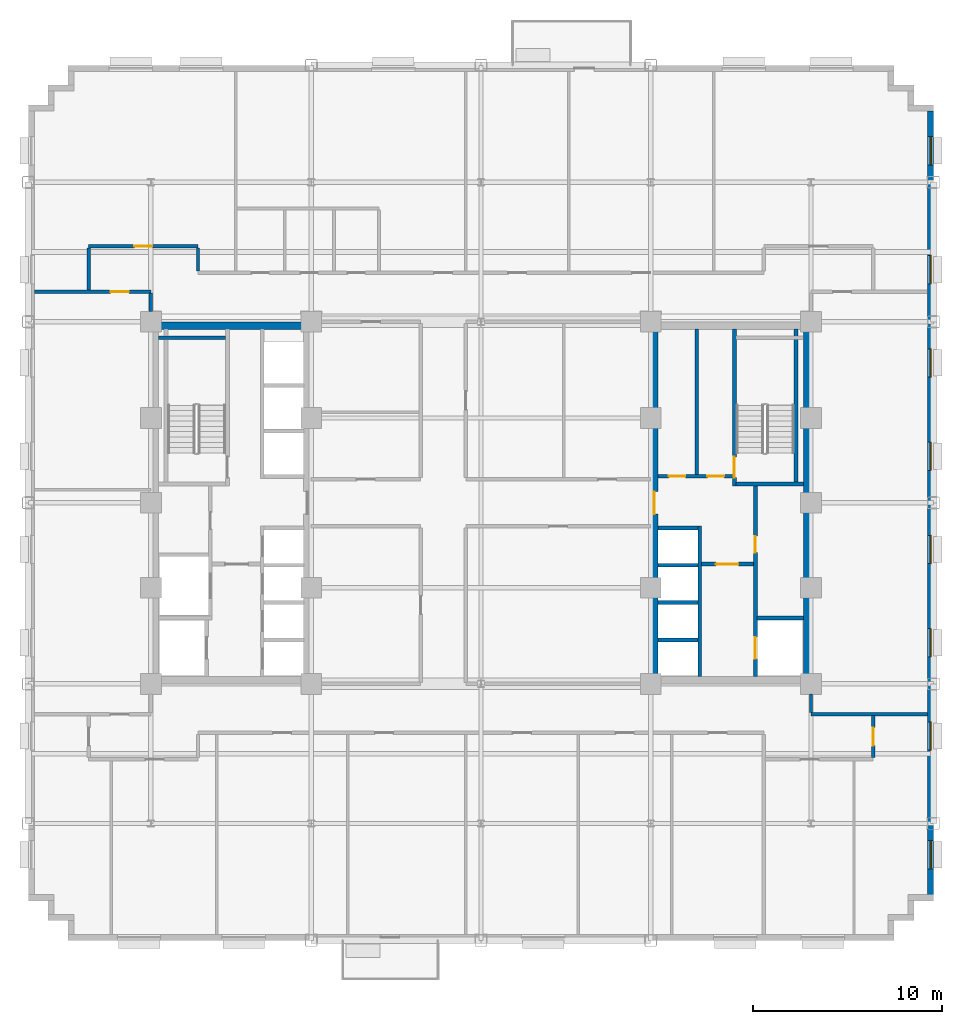
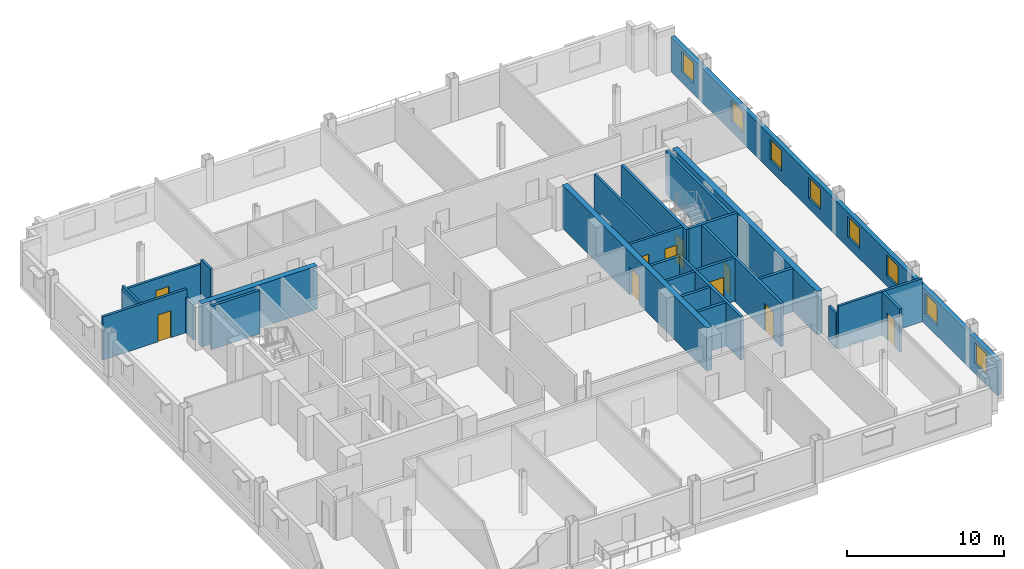
# One storey, part 8 of 14: 26 walls, 10 doors, 8 windows, 18 openings.
"""IFC4 building model written with IfcOpenShell, lengths in metres."""

from ifc_helpers import new_model, si_unit, direction, frame, frame_2d, origin, place, context, subcontext, project, spatial, rectangle, extrude, source, transform, mapped, material, layer, layer_set, type_object, type_shapes, element, fill, save


model = new_model("IFC4")

# Units and contexts
model_context = context("Model", 3, precision=1e-05, world=origin(), true_north=direction((0.0, 1.0)))
body_context = subcontext(model_context, "Body", "Model", "MODEL_VIEW")
ifc_project = project(units=[si_unit("LENGTHUNIT", "METRE"), si_unit("AREAUNIT", "SQUARE_METRE"), si_unit("VOLUMEUNIT", "CUBIC_METRE"), si_unit("PLANEANGLEUNIT", "RADIAN"), si_unit("MASSUNIT", "GRAM", prefix="KILO")], contexts=[model_context])

# Site, building, storey
site_placement = place(None, origin())
site = spatial("IfcSite", under=ifc_project, at=site_placement, CompositionType="ELEMENT")
building_placement = place(site_placement, origin())
building = spatial("IfcBuilding", under=site, at=building_placement, Name="Nuvemarco Arch Tower", CompositionType="ELEMENT")
storey_placement = place(building_placement, frame((0.0, 0.0, 98.300048828125)))
storey = spatial("IfcBuildingStorey", under=building, at=storey_placement, Name="L25", CompositionType="ELEMENT", Elevation=98.300048828125)

# Wall, openings, windows
ifc_material_1 = material(Name="Precast concrete C45/55", Category="concrete")
ifc_layer_1 = layer(ifc_material_1, 0.320068359375, Name="EW-MID-320")
ifc_layer_set_1 = layer_set([ifc_layer_1], Name="Precast concrete C45/55")
wall_type_1 = type_object("IfcWallType", Name="EW-MID-320", PredefinedType="STANDARD", material=ifc_layer_set_1)
wall_1_placement = place(storey_placement, frame((23.840087890625, -20.783935546875, 0.0), z_axis=(0.0, 0.0, 1.0), x_axis=(0.0, 1.0, 0.0)))
wall_1 = element("IfcWall", 1, at=wall_1_placement, inside=storey, type_object=wall_type_1, Name="L25 exterior precast facade wall 6", PredefinedType="STANDARD", context=body_context, shape_type="SweptSolid", body=[
    extrude(rectangle(XDim=41.56787109375, YDim=0.320068359375, at=frame_2d((20.783935546875, 0.0))), origin(), (0.0, 0.0, 1.0), 2.704833984375),
])
opening_1_placement = place(wall_1_placement, frame((1.373046875, 0.0, 0.800048828125)))
opening_1 = element("IfcOpeningElement", 2, at=opening_1_placement, cuts=wall_1, Name="Opening WN-11", PredefinedType="OPENING", context=body_context, shape_type="SweptSolid", body=[
    extrude(rectangle(XDim=1.5, YDim=1.60009765625, at=frame_2d((0.75, 0.800048828125))), frame((0.0, 0.169921875, 0.0), z_axis=(0.0, -1.0, 0.0), x_axis=(1.0, 0.0, 0.0)), (0.0, 0.0, 1.0), 0.340087890625),
])
opening_2_placement = place(wall_1_placement, frame((7.6689453125, 0.0, 0.800048828125)))
opening_2 = element("IfcOpeningElement", 3, at=opening_2_placement, cuts=wall_1, Name="Opening WN-11", PredefinedType="OPENING", context=body_context, shape_type="SweptSolid", body=[
    extrude(rectangle(XDim=1.5, YDim=1.60009765625, at=frame_2d((0.75, 0.800048828125))), frame((0.0, 0.169921875, 0.0), z_axis=(0.0, -1.0, 0.0), x_axis=(1.0, 0.0, 0.0)), (0.0, 0.0, 1.0), 0.340087890625),
])
opening_3_placement = place(wall_1_placement, frame((12.614990234375, 0.0, 0.800048828125)))
opening_3 = element("IfcOpeningElement", 4, at=opening_3_placement, cuts=wall_1, Name="Opening WN-11", PredefinedType="OPENING", context=body_context, shape_type="SweptSolid", body=[
    extrude(rectangle(XDim=1.5, YDim=1.60009765625, at=frame_2d((0.75, 0.800048828125))), frame((0.0, 0.169921875, 0.0), z_axis=(0.0, -1.0, 0.0), x_axis=(1.0, 0.0, 0.0)), (0.0, 0.0, 1.0), 0.340087890625),
])
opening_4_placement = place(wall_1_placement, frame((17.56103515625, 0.0, 0.800048828125)))
opening_4 = element("IfcOpeningElement", 5, at=opening_4_placement, cuts=wall_1, Name="Opening WN-11", PredefinedType="OPENING", context=body_context, shape_type="SweptSolid", body=[
    extrude(rectangle(XDim=1.5, YDim=1.60009765625, at=frame_2d((0.75, 0.800048828125))), frame((0.0, 0.169921875, 0.0), z_axis=(0.0, -1.0, 0.0), x_axis=(1.0, 0.0, 0.0)), (0.0, 0.0, 1.0), 0.340087890625),
])
opening_5_placement = place(wall_1_placement, frame((22.507080078125, 0.0, 0.800048828125)))
opening_5 = element("IfcOpeningElement", 6, at=opening_5_placement, cuts=wall_1, Name="Opening WN-11", PredefinedType="OPENING", context=body_context, shape_type="SweptSolid", body=[
    extrude(rectangle(XDim=1.5, YDim=1.60009765625, at=frame_2d((0.75, 0.800048828125))), frame((0.0, 0.169921875, 0.0), z_axis=(0.0, -1.0, 0.0), x_axis=(1.0, 0.0, 0.0)), (0.0, 0.0, 1.0), 0.340087890625),
])
opening_6_placement = place(wall_1_placement, frame((27.452880859375, 0.0, 0.800048828125)))
opening_6 = element("IfcOpeningElement", 7, at=opening_6_placement, cuts=wall_1, Name="Opening WN-11", PredefinedType="OPENING", context=body_context, shape_type="SweptSolid", body=[
    extrude(rectangle(XDim=1.5, YDim=1.60009765625, at=frame_2d((0.75, 0.800048828125))), frame((0.0, 0.169921875, 0.0), z_axis=(0.0, -1.0, 0.0), x_axis=(1.0, 0.0, 0.0)), (0.0, 0.0, 1.0), 0.340087890625),
])
opening_7_placement = place(wall_1_placement, frame((32.39892578125, 0.0, 0.800048828125)))
opening_7 = element("IfcOpeningElement", 8, at=opening_7_placement, cuts=wall_1, Name="Opening WN-11", PredefinedType="OPENING", context=body_context, shape_type="SweptSolid", body=[
    extrude(rectangle(XDim=1.5, YDim=1.60009765625, at=frame_2d((0.75, 0.800048828125))), frame((0.0, 0.169921875, 0.0), z_axis=(0.0, -1.0, 0.0), x_axis=(1.0, 0.0, 0.0)), (0.0, 0.0, 1.0), 0.340087890625),
])
opening_8_placement = place(wall_1_placement, frame((38.695068359375, 0.0, 0.800048828125)))
opening_8 = element("IfcOpeningElement", 9, at=opening_8_placement, cuts=wall_1, Name="Opening WN-11", PredefinedType="OPENING", context=body_context, shape_type="SweptSolid", body=[
    extrude(rectangle(XDim=1.5, YDim=1.60009765625, at=frame_2d((0.75, 0.800048828125))), frame((0.0, 0.169921875, 0.0), z_axis=(0.0, -1.0, 0.0), x_axis=(1.0, 0.0, 0.0)), (0.0, 0.0, 1.0), 0.340087890625),
])
ifc_material_2 = material(Name="Insulated solar-control glass", Category="glass")
window_type = type_object("IfcWindowType", Name="WN-STEP-1500x1850", PartitioningType="SINGLE_PANEL", PredefinedType="WINDOW", material=ifc_material_2)
shared_shape_1 = source(origin(), body_context, "Body", "SweptSolid", [
    extrude(rectangle(XDim=1.5, YDim=1.60009765625, at=frame_2d((0.75, 0.800048828125))), frame((0.0, 0.030029296875, 0.0), z_axis=(0.0, -1.0, 0.0), x_axis=(1.0, 0.0, 0.0)), (0.0, 0.0, 1.0), 0.06005859375),
])
type_shapes(window_type, [shared_shape_1])
window_1_placement = place(opening_1_placement, origin())
window_1 = element("IfcWindow", 10, at=window_1_placement, inside=storey, type_object=window_type, Name="L25 punched facade window 1", OverallHeight=1.60009765625, OverallWidth=1.5, PartitioningType="SINGLE_PANEL", PredefinedType="WINDOW", context=body_context, shape_type="MappedRepresentation", body=[
    mapped(shared_shape_1, transform((0.0, 0.0, 0.0), scale=1.0)),
])
fill(opening_1, window_1)
window_2_placement = place(opening_2_placement, origin())
window_2 = element("IfcWindow", 11, at=window_2_placement, inside=storey, type_object=window_type, Name="L25 punched facade window 2", OverallHeight=1.60009765625, OverallWidth=1.5, PartitioningType="SINGLE_PANEL", PredefinedType="WINDOW", context=body_context, shape_type="MappedRepresentation", body=[
    mapped(shared_shape_1, transform((0.0, 0.0, 0.0), scale=1.0)),
])
fill(opening_2, window_2)
window_3_placement = place(opening_3_placement, origin())
window_3 = element("IfcWindow", 12, at=window_3_placement, inside=storey, type_object=window_type, Name="L25 punched facade window 3", OverallHeight=1.60009765625, OverallWidth=1.5, PartitioningType="SINGLE_PANEL", PredefinedType="WINDOW", context=body_context, shape_type="MappedRepresentation", body=[
    mapped(shared_shape_1, transform((0.0, 0.0, 0.0), scale=1.0)),
])
fill(opening_3, window_3)
window_4_placement = place(opening_4_placement, origin())
window_4 = element("IfcWindow", 13, at=window_4_placement, inside=storey, type_object=window_type, Name="L25 punched facade window 4", OverallHeight=1.60009765625, OverallWidth=1.5, PartitioningType="SINGLE_PANEL", PredefinedType="WINDOW", context=body_context, shape_type="MappedRepresentation", body=[
    mapped(shared_shape_1, transform((0.0, 0.0, 0.0), scale=1.0)),
])
fill(opening_4, window_4)
window_5_placement = place(opening_5_placement, origin())
window_5 = element("IfcWindow", 14, at=window_5_placement, inside=storey, type_object=window_type, Name="L25 punched facade window 5", OverallHeight=1.60009765625, OverallWidth=1.5, PartitioningType="SINGLE_PANEL", PredefinedType="WINDOW", context=body_context, shape_type="MappedRepresentation", body=[
    mapped(shared_shape_1, transform((0.0, 0.0, 0.0), scale=1.0)),
])
fill(opening_5, window_5)
window_6_placement = place(opening_6_placement, origin())
window_6 = element("IfcWindow", 15, at=window_6_placement, inside=storey, type_object=window_type, Name="L25 punched facade window 6", OverallHeight=1.60009765625, OverallWidth=1.5, PartitioningType="SINGLE_PANEL", PredefinedType="WINDOW", context=body_context, shape_type="MappedRepresentation", body=[
    mapped(shared_shape_1, transform((0.0, 0.0, 0.0), scale=1.0)),
])
fill(opening_6, window_6)
window_7_placement = place(opening_7_placement, origin())
window_7 = element("IfcWindow", 16, at=window_7_placement, inside=storey, type_object=window_type, Name="L25 punched facade window 7", OverallHeight=1.60009765625, OverallWidth=1.5, PartitioningType="SINGLE_PANEL", PredefinedType="WINDOW", context=body_context, shape_type="MappedRepresentation", body=[
    mapped(shared_shape_1, transform((0.0, 0.0, 0.0), scale=1.0)),
])
fill(opening_7, window_7)
window_8_placement = place(opening_8_placement, origin())
window_8 = element("IfcWindow", 17, at=window_8_placement, inside=storey, type_object=window_type, Name="L25 punched facade window 8", OverallHeight=1.60009765625, OverallWidth=1.5, PartitioningType="SINGLE_PANEL", PredefinedType="WINDOW", context=body_context, shape_type="MappedRepresentation", body=[
    mapped(shared_shape_1, transform((0.0, 0.0, 0.0), scale=1.0)),
])
fill(opening_8, window_8)

# Wall
ifc_material_3 = material(Name="Concrete C60/75", Category="concrete")
ifc_layer_2 = layer(ifc_material_3, 0.39990234375, Name="WL-CORE-400")
ifc_layer_set_2 = layer_set([ifc_layer_2], Name="Concrete C60/75")
wall_type_2 = type_object("IfcWallType", Name="WL-CORE-400", PredefinedType="SHEAR", material=ifc_layer_set_2)
wall_2_placement = place(storey_placement, frame((-17.5, 9.39990234375, 0.0), z_axis=(0.0, 0.0, 1.0), x_axis=(1.0, 0.0, 0.0)))
element("IfcWall", 18, at=wall_2_placement, inside=storey, type_object=wall_type_2, Name="L25 W-core shear wall N", PredefinedType="SHEAR", context=body_context, shape_type="SweptSolid", body=[
    extrude(rectangle(XDim=8.5, YDim=0.39990234375, at=frame_2d((4.25, 0.0))), origin(), (0.0, 0.0, 1.0), 3.369873046875),
])

# Wall, opening, door
wall_3_placement = place(storey_placement, frame((9.199951171875, -9.205078125, 0.0), z_axis=(0.0, 0.0, 1.0), x_axis=(0.0, 1.0, 0.0)))
wall_3 = element("IfcWall", 19, at=wall_3_placement, inside=storey, type_object=wall_type_2, Name="L25 E-core shear wall W", PredefinedType="SHEAR", context=body_context, shape_type="SweptSolid", body=[
    extrude(rectangle(XDim=18.41015625, YDim=0.39990234375, at=frame_2d((9.205078125, 0.0))), origin(), (0.0, 0.0, 1.0), 3.369873046875),
])
opening_9_placement = place(wall_3_placement, frame((8.60498046875, 0.0, 0.0)))
opening_9 = element("IfcOpeningElement", 20, at=opening_9_placement, cuts=wall_3, Name="Opening FD-2", PredefinedType="OPENING", context=body_context, shape_type="SweptSolid", body=[
    extrude(rectangle(XDim=1.199951171875, YDim=2.14990234375, at=frame_2d((0.60009765625, 1.074951171875))), frame((0.0, 0.2099609375, 0.0), z_axis=(0.0, -1.0, 0.0), x_axis=(1.0, 0.0, 0.0)), (0.0, 0.0, 1.0), 0.419921875),
])
ifc_material_4 = material(Name="Anodised steel fire door", Category="steel")
door_type_1 = type_object("IfcDoorType", Name="DR-FFLOB-FD", OperationType="NOTDEFINED", PredefinedType="DOOR", material=ifc_material_4)
shared_shape_2 = source(origin(), body_context, "Body", "SweptSolid", [
    extrude(rectangle(XDim=1.199951171875, YDim=2.14990234375, at=frame_2d((0.60009765625, 1.074951171875))), frame((0.0, 0.02490234375, 0.0), z_axis=(0.0, -1.0, 0.0), x_axis=(1.0, 0.0, 0.0)), (0.0, 0.0, 1.0), 0.050048828125),
])
type_shapes(door_type_1, [shared_shape_2])
door_1_placement = place(opening_9_placement, origin())
door_1 = element("IfcDoor", 21, at=door_1_placement, inside=storey, type_object=door_type_1, Name="L25 door FD-L25-ECORE-W", OperationType="SINGLE_SWING_LEFT", OverallHeight=2.14990234375, OverallWidth=1.199951171875, PredefinedType="DOOR", context=body_context, shape_type="MappedRepresentation", body=[
    mapped(shared_shape_2, transform((0.0, 0.0, 0.0), scale=1.0)),
])
fill(opening_9, door_1)

# Wall
wall_4_placement = place(storey_placement, frame((17.300048828125, -9.205078125, 0.0), z_axis=(0.0, 0.0, 1.0), x_axis=(0.0, 1.0, 0.0)))
element("IfcWall", 22, at=wall_4_placement, inside=storey, type_object=wall_type_2, Name="L25 E-core shear wall E", PredefinedType="SHEAR", context=body_context, shape_type="SweptSolid", body=[
    extrude(rectangle(XDim=18.41015625, YDim=0.39990234375, at=frame_2d((9.205078125, 0.0))), origin(), (0.0, 0.0, 1.0), 3.369873046875),
])

# Wall, openings, doors
ifc_material_5 = material(Name="Fire-rated gypsum drywall partition")
ifc_layer_3 = layer(ifc_material_5, 0.179931640625, Name="WL-CORR-180")
ifc_layer_set_3 = layer_set([ifc_layer_3], Name="Fire-rated gypsum drywall partition")
wall_type_3 = type_object("IfcWallType", Name="WL-CORR-180", PredefinedType="PARTITIONING", material=ifc_layer_set_3)
wall_5_placement = place(storey_placement, frame((9.39501953125, 1.39990234375, 0.0), z_axis=(0.0, 0.0, 1.0), x_axis=(1.0, 0.0, 0.0)))
wall_5 = element("IfcWall", 23, at=wall_5_placement, inside=storey, type_object=wall_type_3, Name="L25 interior wall IW-L25-EK-S", PredefinedType="PARTITIONING", context=body_context, shape_type="SweptSolid", body=[
    extrude(rectangle(XDim=3.949951171875, YDim=0.179931640625, at=frame_2d((1.97509765625, 0.0))), origin(), (0.0, 0.0, 1.0), 3.35986328125),
])
opening_10_placement = place(wall_5_placement, frame((0.56494140625, 0.0, 0.0)))
opening_10 = element("IfcOpeningElement", 24, at=opening_10_placement, cuts=wall_5, Name="Opening FD-4", PredefinedType="OPENING", context=body_context, shape_type="SweptSolid", body=[
    extrude(rectangle(XDim=0.8798828125, YDim=2.10009765625, at=frame_2d((0.43994140625, 1.050048828125))), frame((0.0, 0.099853515625, 0.0), z_axis=(0.0, -1.0, 0.0), x_axis=(1.0, 0.0, 0.0)), (0.0, 0.0, 1.0), 0.199951171875),
])
opening_11_placement = place(wall_5_placement, frame((2.614990234375, 0.0, 0.0)))
opening_11 = element("IfcOpeningElement", 25, at=opening_11_placement, cuts=wall_5, Name="Opening FD-4", PredefinedType="OPENING", context=body_context, shape_type="SweptSolid", body=[
    extrude(rectangle(XDim=0.8798828125, YDim=2.10009765625, at=frame_2d((0.43994140625, 1.050048828125))), frame((0.0, 0.099853515625, 0.0), z_axis=(0.0, -1.0, 0.0), x_axis=(1.0, 0.0, 0.0)), (0.0, 0.0, 1.0), 0.199951171875),
])
door_type_2 = type_object("IfcDoorType", Name="DR-RISER-FD", OperationType="NOTDEFINED", PredefinedType="DOOR", material=ifc_material_4)
shared_shape_3 = source(origin(), body_context, "Body", "SweptSolid", [
    extrude(rectangle(XDim=0.8798828125, YDim=2.10009765625, at=frame_2d((0.43994140625, 1.050048828125))), frame((0.0, 0.02490234375, 0.0), z_axis=(0.0, -1.0, 0.0), x_axis=(1.0, 0.0, 0.0)), (0.0, 0.0, 1.0), 0.050048828125),
])
type_shapes(door_type_2, [shared_shape_3])
door_2_placement = place(opening_10_placement, origin())
door_2 = element("IfcDoor", 26, at=door_2_placement, inside=storey, type_object=door_type_2, Name="L25 door FD-L25-EK2A", OperationType="SINGLE_SWING_RIGHT", OverallHeight=2.10009765625, OverallWidth=0.8798828125, PredefinedType="DOOR", context=body_context, shape_type="MappedRepresentation", body=[
    mapped(shared_shape_3, transform((0.0, 0.0, 0.0), scale=1.0)),
])
fill(opening_10, door_2)
door_3_placement = place(opening_11_placement, origin())
door_3 = element("IfcDoor", 27, at=door_3_placement, inside=storey, type_object=door_type_2, Name="L25 door FD-L25-EK2B", OperationType="SINGLE_SWING_LEFT", OverallHeight=2.10009765625, OverallWidth=0.8798828125, PredefinedType="DOOR", context=body_context, shape_type="MappedRepresentation", body=[
    mapped(shared_shape_3, transform((0.0, 0.0, 0.0), scale=1.0)),
])
fill(opening_11, door_3)

# Walls
wall_6_placement = place(storey_placement, frame((11.449951171875, 1.489990234375, 0.0), z_axis=(0.0, 0.0, 1.0), x_axis=(0.0, 1.0, 0.0)))
element("IfcWall", 28, at=wall_6_placement, inside=storey, type_object=wall_type_3, Name="L25 interior wall IW-L25-EK2", PredefinedType="PARTITIONING", context=body_context, shape_type="SweptSolid", body=[
    extrude(rectangle(XDim=7.715087890625, YDim=0.179931640625, at=frame_2d((3.857421875, 0.0))), origin(), (0.0, 0.0, 1.0), 3.35986328125),
])
wall_7_placement = place(storey_placement, frame((17.5, -11.199951171875, 0.0), z_axis=(0.0, 0.0, 1.0), x_axis=(1.0, 0.0, 0.0)))
element("IfcWall", 29, at=wall_7_placement, inside=storey, type_object=wall_type_3, Name="L25 interior wall IW-L25-005", PredefinedType="PARTITIONING", context=body_context, shape_type="SweptSolid", body=[
    extrude(rectangle(XDim=6.179931640625, YDim=0.179931640625, at=frame_2d((3.08984375, 0.0))), origin(), (0.0, 0.0, 1.0), 3.35986328125),
])

# Wall, opening, door
wall_8_placement = place(storey_placement, frame((-23.679931640625, 11.199951171875, 0.0), z_axis=(0.0, 0.0, 1.0), x_axis=(1.0, 0.0, 0.0)))
wall_8 = element("IfcWall", 30, at=wall_8_placement, inside=storey, type_object=wall_type_3, Name="L25 interior wall IW-L25-018", PredefinedType="PARTITIONING", context=body_context, shape_type="SweptSolid", body=[
    extrude(rectangle(XDim=6.179931640625, YDim=0.179931640625, at=frame_2d((3.08984375, 0.0))), origin(), (0.0, 0.0, 1.0), 3.35986328125),
])
opening_12_placement = place(wall_8_placement, frame((4.050048828125, 0.0, 0.0)))
opening_12 = element("IfcOpeningElement", 31, at=opening_12_placement, cuts=wall_8, Name="Opening FD-5", PredefinedType="OPENING", context=body_context, shape_type="SweptSolid", body=[
    extrude(rectangle(XDim=0.9599609375, YDim=2.10009765625, at=frame_2d((0.47998046875, 1.050048828125))), frame((0.0, 0.099853515625, 0.0), z_axis=(0.0, -1.0, 0.0), x_axis=(1.0, 0.0, 0.0)), (0.0, 0.0, 1.0), 0.199951171875),
])
ifc_material_6 = material(Name="Timber fire door", Category="wood")
door_type_3 = type_object("IfcDoorType", Name="DR-CORR-FD", OperationType="NOTDEFINED", PredefinedType="DOOR", material=ifc_material_6)
shared_shape_4 = source(origin(), body_context, "Body", "SweptSolid", [
    extrude(rectangle(XDim=0.9599609375, YDim=2.10009765625, at=frame_2d((0.47998046875, 1.050048828125))), frame((0.0, 0.02490234375, 0.0), z_axis=(0.0, -1.0, 0.0), x_axis=(1.0, 0.0, 0.0)), (0.0, 0.0, 1.0), 0.050048828125),
])
type_shapes(door_type_3, [shared_shape_4])
door_4_placement = place(opening_12_placement, origin())
door_4 = element("IfcDoor", 32, at=door_4_placement, inside=storey, type_object=door_type_3, Name="L25 door DR-L25-W_2", OperationType="SINGLE_SWING_RIGHT", OverallHeight=2.10009765625, OverallWidth=0.9599609375, PredefinedType="DOOR", context=body_context, shape_type="MappedRepresentation", body=[
    mapped(shared_shape_4, transform((0.0, 0.0, 0.0), scale=1.0)),
])
fill(opening_12, door_4)

wall_9_placement = place(storey_placement, frame((-20.800048828125, 13.60009765625, 0.0), z_axis=(0.0, 0.0, 1.0), x_axis=(1.0, 0.0, 0.0)))
wall_9 = element("IfcWall", 33, at=wall_9_placement, inside=storey, type_object=wall_type_3, Name="L25 interior wall IW-L25-021", PredefinedType="PARTITIONING", context=body_context, shape_type="SweptSolid", body=[
    extrude(rectangle(XDim=5.800048828125, YDim=0.179931640625, at=frame_2d((2.89990234375, 0.0))), origin(), (0.0, 0.0, 1.0), 2.998046875),
])
opening_13_placement = place(wall_9_placement, frame((2.419921875, 0.0, 0.0)))
opening_13 = element("IfcOpeningElement", 34, at=opening_13_placement, cuts=wall_9, Name="Opening FD-5", PredefinedType="OPENING", context=body_context, shape_type="SweptSolid", body=[
    extrude(rectangle(XDim=0.9599609375, YDim=2.10009765625, at=frame_2d((0.47998046875, 1.050048828125))), frame((0.0, 0.099853515625, 0.0), z_axis=(0.0, -1.0, 0.0), x_axis=(1.0, 0.0, 0.0)), (0.0, 0.0, 1.0), 0.199951171875),
])
door_5_placement = place(opening_13_placement, origin())
door_5 = element("IfcDoor", 35, at=door_5_placement, inside=storey, type_object=door_type_3, Name="L25 door DR-L25-N_1", OperationType="SINGLE_SWING_RIGHT", OverallHeight=2.10009765625, OverallWidth=0.9599609375, PredefinedType="DOOR", context=body_context, shape_type="MappedRepresentation", body=[
    mapped(shared_shape_4, transform((0.0, 0.0, 0.0), scale=1.0)),
])
fill(opening_13, door_5)

# Walls
wall_10_placement = place(storey_placement, frame((-20.800048828125, 11.285888671875, 0.0), z_axis=(0.0, 0.0, 1.0), x_axis=(0.0, 1.0, 0.0)))
element("IfcWall", 36, at=wall_10_placement, inside=storey, type_object=wall_type_3, Name="L25 interior wall IW-L25-025", PredefinedType="PARTITIONING", context=body_context, shape_type="SweptSolid", body=[
    extrude(rectangle(XDim=2.22802734375, YDim=0.179931640625, at=frame_2d((1.114013671875, 0.0))), origin(), (0.0, 0.0, 1.0), 3.35986328125),
])
wall_11_placement = place(storey_placement, frame((-17.5, 10.14599609375, 0.0), z_axis=(0.0, 0.0, 1.0), x_axis=(0.0, 1.0, 0.0)))
element("IfcWall", 37, at=wall_11_placement, inside=storey, type_object=wall_type_3, Name="L25 interior wall IW-L25-028", PredefinedType="PARTITIONING", context=body_context, shape_type="SweptSolid", body=[
    extrude(rectangle(XDim=0.968017578125, YDim=0.179931640625, at=frame_2d((0.48388671875, 0.0))), origin(), (0.0, 0.0, 1.0), 2.738037109375),
])
wall_12_placement = place(storey_placement, frame((-15.0, 12.285888671875, 0.0), z_axis=(0.0, 0.0, 1.0), x_axis=(0.0, 1.0, 0.0)))
element("IfcWall", 38, at=wall_12_placement, inside=storey, type_object=wall_type_3, Name="L25 interior wall IW-L25-030", PredefinedType="PARTITIONING", context=body_context, shape_type="SweptSolid", body=[
    extrude(rectangle(XDim=1.22802734375, YDim=0.179931640625, at=frame_2d((0.614013671875, 0.0))), origin(), (0.0, 0.0, 1.0), 3.35986328125),
])
wall_13_placement = place(storey_placement, frame((17.5, -11.114013671875, 0.0), z_axis=(0.0, 0.0, 1.0), x_axis=(0.0, 1.0, 0.0)))
element("IfcWall", 39, at=wall_13_placement, inside=storey, type_object=wall_type_3, Name="L25 interior wall IW-L25-050", PredefinedType="PARTITIONING", context=body_context, shape_type="SweptSolid", body=[
    extrude(rectangle(XDim=0.968017578125, YDim=0.179931640625, at=frame_2d((0.48388671875, 0.0))), origin(), (0.0, 0.0, 1.0), 2.738037109375),
])

# Wall, opening, door
wall_14_placement = place(storey_placement, frame((20.800048828125, -13.513916015625, 0.0), z_axis=(0.0, 0.0, 1.0), x_axis=(0.0, 1.0, 0.0)))
wall_14 = element("IfcWall", 40, at=wall_14_placement, inside=storey, type_object=wall_type_3, Name="L25 interior wall IW-L25-053", PredefinedType="PARTITIONING", context=body_context, shape_type="SweptSolid", body=[
    extrude(rectangle(XDim=2.22802734375, YDim=0.179931640625, at=frame_2d((1.114013671875, 0.0))), origin(), (0.0, 0.0, 1.0), 3.35986328125),
])
opening_14_placement = place(wall_14_placement, frame((0.634033203125, 0.0, 0.0)))
opening_14 = element("IfcOpeningElement", 41, at=opening_14_placement, cuts=wall_14, Name="Opening FD-5", PredefinedType="OPENING", context=body_context, shape_type="SweptSolid", body=[
    extrude(rectangle(XDim=0.9599609375, YDim=2.10009765625, at=frame_2d((0.47998046875, 1.050048828125))), frame((0.0, 0.099853515625, 0.0), z_axis=(0.0, -1.0, 0.0), x_axis=(1.0, 0.0, 0.0)), (0.0, 0.0, 1.0), 0.199951171875),
])
door_6_placement = place(opening_14_placement, origin())
door_6 = element("IfcDoor", 42, at=door_6_placement, inside=storey, type_object=door_type_3, Name="L25 door DR-L25-S_9", OperationType="SINGLE_SWING_LEFT", OverallHeight=2.10009765625, OverallWidth=0.9599609375, PredefinedType="DOOR", context=body_context, shape_type="MappedRepresentation", body=[
    mapped(shared_shape_4, transform((0.0, 0.0, 0.0), scale=1.0)),
])
fill(opening_14, door_6)

# Wall
ifc_material_7 = material(Name="Concrete C50/60", Category="concrete")
ifc_layer_4 = layer(ifc_material_7, 0.199951171875, Name="WL-SHAFT-220")
ifc_layer_set_4 = layer_set([ifc_layer_4], Name="Concrete C50/60")
wall_type_4 = type_object("IfcWallType", Name="WL-SHAFT-220", PredefinedType="SHEAR", material=ifc_layer_set_4)
wall_15_placement = place(storey_placement, frame((-17.10498046875, 8.75, 0.0), z_axis=(0.0, 0.0, 1.0), x_axis=(1.0, 0.0, 0.0)))
element("IfcWall", 43, at=wall_15_placement, inside=storey, type_object=wall_type_4, Name="L25 structural shaft wall SW-L25-W-ST1N", PredefinedType="SHEAR", context=body_context, shape_type="SweptSolid", body=[
    extrude(rectangle(XDim=3.570068359375, YDim=0.199951171875, at=frame_2d((1.78515625, 0.0))), origin(), (0.0, 0.0, 1.0), 3.369873046875),
])

# Wall, opening, door
wall_16_placement = place(storey_placement, frame((13.43994140625, 0.89990234375, 0.0), z_axis=(0.0, 0.0, 1.0), x_axis=(0.0, 1.0, 0.0)))
wall_16 = element("IfcWall", 44, at=wall_16_placement, inside=storey, type_object=wall_type_4, Name="L25 structural shaft wall SW-L25-E-ST2W", PredefinedType="SHEAR", context=body_context, shape_type="SweptSolid", body=[
    extrude(rectangle(XDim=8.30517578125, YDim=0.199951171875, at=frame_2d((4.152587890625, 0.0))), origin(), (0.0, 0.0, 1.0), 3.369873046875),
])
opening_15_placement = place(wall_16_placement, frame((0.429931640625, 0.0, 0.0)))
opening_15 = element("IfcOpeningElement", 45, at=opening_15_placement, cuts=wall_16, Name="Opening FD-1", PredefinedType="OPENING", context=body_context, shape_type="SweptSolid", body=[
    extrude(rectangle(XDim=1.10009765625, YDim=2.14990234375, at=frame_2d((0.550048828125, 1.074951171875))), frame((0.0, 0.10986328125, 0.0), z_axis=(0.0, -1.0, 0.0), x_axis=(1.0, 0.0, 0.0)), (0.0, 0.0, 1.0), 0.219970703125),
])
door_type_4 = type_object("IfcDoorType", Name="DR-STAIR-FD", OperationType="NOTDEFINED", PredefinedType="DOOR", material=ifc_material_4)
shared_shape_5 = source(origin(), body_context, "Body", "SweptSolid", [
    extrude(rectangle(XDim=1.10009765625, YDim=2.14990234375, at=frame_2d((0.550048828125, 1.074951171875))), frame((0.0, 0.02490234375, 0.0), z_axis=(0.0, -1.0, 0.0), x_axis=(1.0, 0.0, 0.0)), (0.0, 0.0, 1.0), 0.050048828125),
])
type_shapes(door_type_4, [shared_shape_5])
door_7_placement = place(opening_15_placement, origin())
door_7 = element("IfcDoor", 46, at=door_7_placement, inside=storey, type_object=door_type_4, Name="L25 door FD-L25-ST2", OperationType="SINGLE_SWING_LEFT", OverallHeight=2.14990234375, OverallWidth=1.10009765625, PredefinedType="DOOR", context=body_context, shape_type="MappedRepresentation", body=[
    mapped(shared_shape_5, transform((0.0, 0.0, 0.0), scale=1.0)),
])
fill(opening_15, door_7)

# Walls
wall_17_placement = place(storey_placement, frame((13.534912109375, 1.0, 0.0), z_axis=(0.0, 0.0, 1.0), x_axis=(1.0, 0.0, 0.0)))
element("IfcWall", 47, at=wall_17_placement, inside=storey, type_object=wall_type_4, Name="L25 structural shaft wall SW-L25-E-ST2S", PredefinedType="SHEAR", context=body_context, shape_type="SweptSolid", body=[
    extrude(rectangle(XDim=3.570068359375, YDim=0.199951171875, at=frame_2d((1.78515625, 0.0))), origin(), (0.0, 0.0, 1.0), 3.369873046875),
])
wall_18_placement = place(storey_placement, frame((16.699951171875, 1.094970703125, 0.0), z_axis=(0.0, 0.0, 1.0), x_axis=(0.0, 1.0, 0.0)))
element("IfcWall", 48, at=wall_18_placement, inside=storey, type_object=wall_type_4, Name="L25 structural shaft wall SW-L25-E-ST2E", PredefinedType="SHEAR", context=body_context, shape_type="SweptSolid", body=[
    extrude(rectangle(XDim=8.110107421875, YDim=0.199951171875, at=frame_2d((4.05517578125, 0.0))), origin(), (0.0, 0.0, 1.0), 3.369873046875),
])

# Wall, openings, doors
wall_19_placement = place(storey_placement, frame((14.550048828125, -9.205078125, 0.0), z_axis=(0.0, 0.0, 1.0), x_axis=(0.0, 1.0, 0.0)))
wall_19 = element("IfcWall", 49, at=wall_19_placement, inside=storey, type_object=wall_type_4, Name="L25 structural shaft wall SW-L25-E-SHW", PredefinedType="SHEAR", context=body_context, shape_type="SweptSolid", body=[
    extrude(rectangle(XDim=10.110107421875, YDim=0.199951171875, at=frame_2d((5.05517578125, 0.0))), origin(), (0.0, 0.0, 1.0), 3.369873046875),
])
opening_16_placement = place(wall_19_placement, frame((6.56494140625, 0.0, 0.0)))
opening_16 = element("IfcOpeningElement", 50, at=opening_16_placement, cuts=wall_19, Name="Opening FD-4", PredefinedType="OPENING", context=body_context, shape_type="SweptSolid", body=[
    extrude(rectangle(XDim=0.8798828125, YDim=2.10009765625, at=frame_2d((0.43994140625, 1.050048828125))), frame((0.0, 0.10986328125, 0.0), z_axis=(0.0, -1.0, 0.0), x_axis=(1.0, 0.0, 0.0)), (0.0, 0.0, 1.0), 0.219970703125),
])
opening_17_placement = place(wall_19_placement, frame((0.929931640625, 0.0, 0.0)))
opening_17 = element("IfcOpeningElement", 51, at=opening_17_placement, cuts=wall_19, Name="Opening LD-2", PredefinedType="OPENING", context=body_context, shape_type="SweptSolid", body=[
    extrude(rectangle(XDim=1.14990234375, YDim=2.14990234375, at=frame_2d((0.574951171875, 1.074951171875))), frame((0.0, 0.10986328125, 0.0), z_axis=(0.0, -1.0, 0.0), x_axis=(1.0, 0.0, 0.0)), (0.0, 0.0, 1.0), 0.219970703125),
])
door_8_placement = place(opening_16_placement, origin())
door_8 = element("IfcDoor", 52, at=door_8_placement, inside=storey, type_object=door_type_2, Name="L25 door FD-L25-ERIS", OperationType="SINGLE_SWING_LEFT", OverallHeight=2.10009765625, OverallWidth=0.8798828125, PredefinedType="DOOR", context=body_context, shape_type="MappedRepresentation", body=[
    mapped(shared_shape_3, transform((0.0, 0.0, 0.0), scale=1.0)),
])
fill(opening_16, door_8)
ifc_material_8 = material(Name="Stainless steel lift door", Category="steel")
door_type_5 = type_object("IfcDoorType", Name="DR-LIFT-FIRE", OperationType="DOUBLE_DOOR_SLIDING", PredefinedType="DOOR", material=ifc_material_8)
shared_shape_6 = source(origin(), body_context, "Body", "SweptSolid", [
    extrude(rectangle(XDim=1.14990234375, YDim=2.14990234375, at=frame_2d((0.574951171875, 1.074951171875))), frame((0.0, 0.02490234375, 0.0), z_axis=(0.0, -1.0, 0.0), x_axis=(1.0, 0.0, 0.0)), (0.0, 0.0, 1.0), 0.050048828125),
])
type_shapes(door_type_5, [shared_shape_6])
door_9_placement = place(opening_17_placement, origin())
door_9 = element("IfcDoor", 53, at=door_9_placement, inside=storey, type_object=door_type_5, Name="L25 Lift landing sliding door FFL-2", OperationType="DOUBLE_DOOR_SLIDING", OverallHeight=2.14990234375, OverallWidth=1.14990234375, PredefinedType="DOOR", context=body_context, shape_type="MappedRepresentation", body=[
    mapped(shared_shape_6, transform((0.0, 0.0, 0.0), scale=1.0)),
])
fill(opening_17, door_9)

# Walls
wall_20_placement = place(storey_placement, frame((14.64501953125, -6.10009765625, 0.0), z_axis=(0.0, 0.0, 1.0), x_axis=(1.0, 0.0, 0.0)))
element("IfcWall", 54, at=wall_20_placement, inside=storey, type_object=wall_type_4, Name="L25 structural shaft wall SW-L25-E-SH1", PredefinedType="SHEAR", context=body_context, shape_type="SweptSolid", body=[
    extrude(rectangle(XDim=2.4599609375, YDim=0.199951171875, at=frame_2d((1.22998046875, 0.0))), origin(), (0.0, 0.0, 1.0), 3.369873046875),
])
wall_21_placement = place(storey_placement, frame((11.60009765625, -9.205078125, 0.0), z_axis=(0.0, 0.0, 1.0), x_axis=(0.0, 1.0, 0.0)))
element("IfcWall", 55, at=wall_21_placement, inside=storey, type_object=wall_type_4, Name="L25 structural shaft wall SW-L25-E-PME", PredefinedType="SHEAR", context=body_context, shape_type="SweptSolid", body=[
    extrude(rectangle(XDim=7.97509765625, YDim=0.199951171875, at=frame_2d((3.987548828125, 0.0))), origin(), (0.0, 0.0, 1.0), 3.369873046875),
])

# Wall, opening, door
wall_22_placement = place(storey_placement, frame((11.695068359375, -3.25, 0.0), z_axis=(0.0, 0.0, 1.0), x_axis=(1.0, 0.0, 0.0)))
wall_22 = element("IfcWall", 56, at=wall_22_placement, inside=storey, type_object=wall_type_4, Name="L25 structural shaft wall SW-L25-E-FFN", PredefinedType="SHEAR", context=body_context, shape_type="SweptSolid", body=[
    extrude(rectangle(XDim=2.760009765625, YDim=0.199951171875, at=frame_2d((1.3798828125, 0.0))), origin(), (0.0, 0.0, 1.0), 3.369873046875),
])
opening_18_placement = place(wall_22_placement, frame((0.7548828125, 0.0, 0.0)))
opening_18 = element("IfcOpeningElement", 57, at=opening_18_placement, cuts=wall_22, Name="Opening FD-2", PredefinedType="OPENING", context=body_context, shape_type="SweptSolid", body=[
    extrude(rectangle(XDim=1.199951171875, YDim=2.14990234375, at=frame_2d((0.60009765625, 1.074951171875))), frame((0.0, 0.10986328125, 0.0), z_axis=(0.0, -1.0, 0.0), x_axis=(1.0, 0.0, 0.0)), (0.0, 0.0, 1.0), 0.219970703125),
])
door_10_placement = place(opening_18_placement, origin())
door_10 = element("IfcDoor", 58, at=door_10_placement, inside=storey, type_object=door_type_1, Name="L25 door FD-L25-EFF2", OperationType="SINGLE_SWING_LEFT", OverallHeight=2.14990234375, OverallWidth=1.199951171875, PredefinedType="DOOR", context=body_context, shape_type="MappedRepresentation", body=[
    mapped(shared_shape_2, transform((0.0, 0.0, 0.0), scale=1.0)),
])
fill(opening_18, door_10)

# Walls
for number, where, z_axis, x_axis, name in (
    (59, (9.39501953125, -7.27001953125, 0.0), (0.0, 0.0, 1.0), (1.0, 0.0, 0.0), "L25 structural shaft wall SW-L25-E-PMD1"),
    (60, (9.39501953125, -5.2900390625, 0.0), (0.0, 0.0, 1.0), (1.0, 0.0, 0.0), "L25 structural shaft wall SW-L25-E-PMD2"),
    (61, (9.39501953125, -3.31005859375, 0.0), (0.0, 0.0, 1.0), (1.0, 0.0, 0.0), "L25 structural shaft wall SW-L25-E-PMD3"),
    (62, (9.39501953125, -1.330078125, 0.0), (0.0, 0.0, 1.0), (1.0, 0.0, 0.0), "L25 structural shaft wall SW-L25-E-PMD4"),
):
    element("IfcWall", number, at=place(storey_placement, frame(where, z_axis=z_axis, x_axis=x_axis)), inside=storey, type_object=wall_type_4, Name=name, PredefinedType="SHEAR", context=body_context, shape_type="SweptSolid", body=[
        extrude(rectangle(XDim=2.10986328125, YDim=0.199951171875, at=frame_2d((1.054931640625, 0.0))), origin(), (0.0, 0.0, 1.0), 3.369873046875),
    ])

save(model, "model.ifc")
